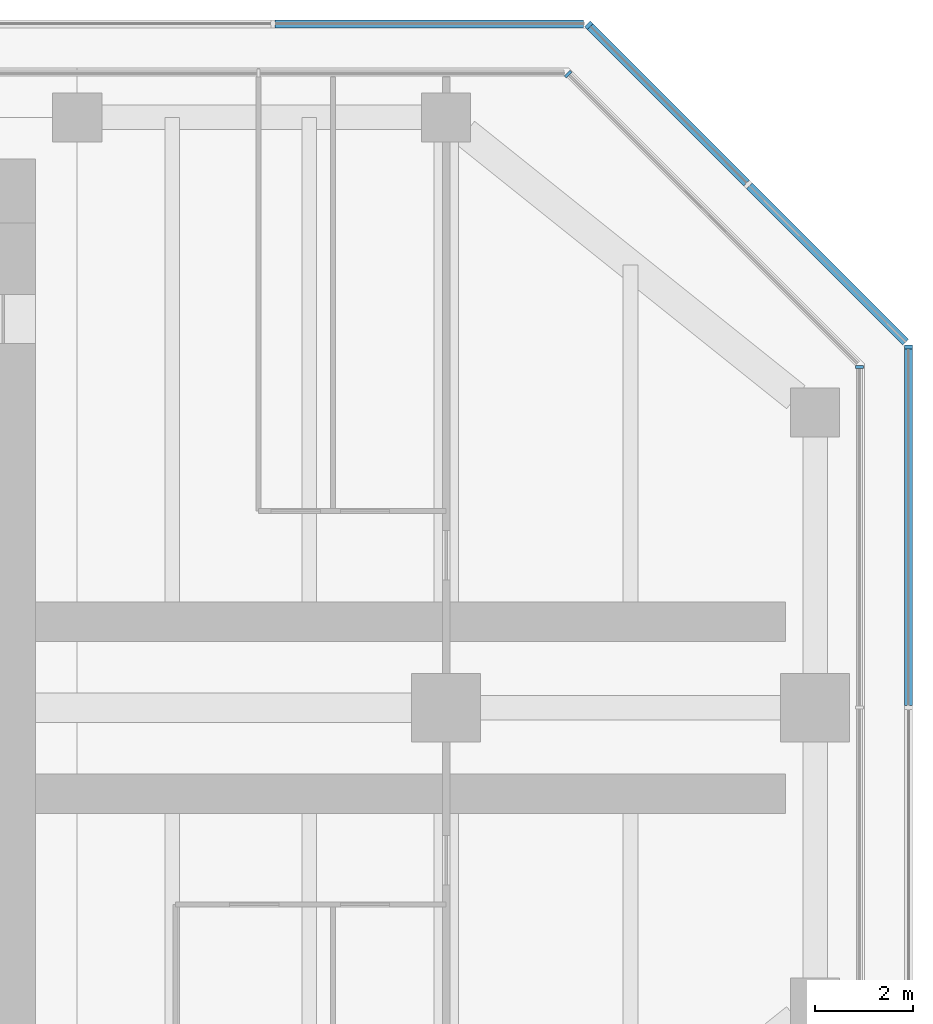
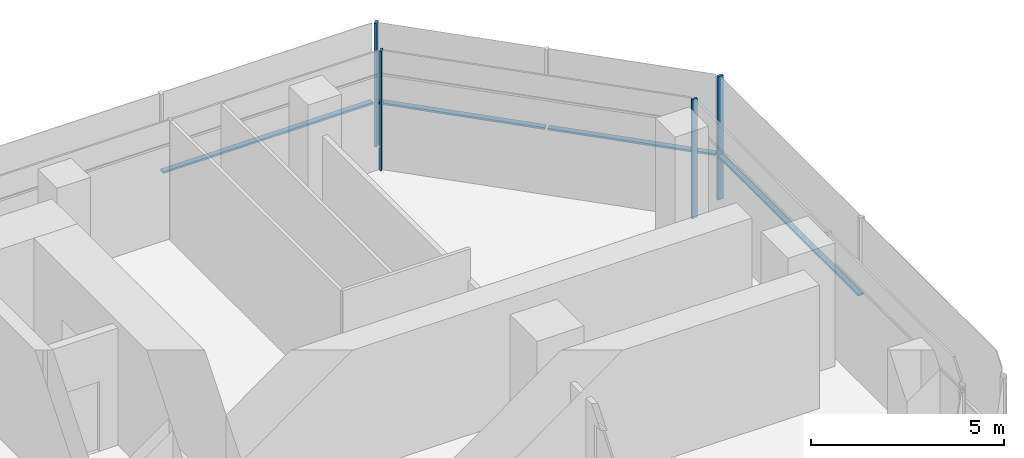
# One storey, part 8 of 16: 8 members, 5 elements without a shape of their own.
"""IFC4 building model written with IfcOpenShell, lengths in metres."""

from ifc_helpers import new_model, si_unit, direction, frame, origin, origin_2d, place, context, subcontext, project, spatial, rectangle, extrude, material, material_profile, profile_set, type_object, element, aggregate, save


model = new_model("IFC4")

# Units and contexts
model_context = context("Model", 3, precision=1e-05, world=origin(), true_north=direction((0.0, 1.0)))
body_context = subcontext(model_context, "Body", "Model", "MODEL_VIEW")
ifc_project = project(units=[si_unit("LENGTHUNIT", "METRE"), si_unit("AREAUNIT", "SQUARE_METRE"), si_unit("VOLUMEUNIT", "CUBIC_METRE"), si_unit("PLANEANGLEUNIT", "RADIAN"), si_unit("MASSUNIT", "GRAM", prefix="KILO")], contexts=[model_context])

# Site, building, storey
site_placement = place(None, origin())
site = spatial("IfcSite", under=ifc_project, at=site_placement, CompositionType="ELEMENT")
building_placement = place(site_placement, origin())
building = spatial("IfcBuilding", under=site, at=building_placement, Name="Mizan Broadcast Tower", CompositionType="ELEMENT")
storey_placement = place(building_placement, frame((0.0, 0.0, 294.60009765625)))
storey = spatial("IfcBuildingStorey", under=building, at=storey_placement, Name="L70", CompositionType="ELEMENT", Elevation=294.60009765625)

# Curtain wall, member
ifc_material_1 = material(Name="Aluminium framed glazing", Category="aluminium")
curtain_wall_type_1 = type_object("IfcCurtainWallType", Name="INNER SKIN TOP ZONE", PredefinedType="USERDEFINED", material=ifc_material_1)
curtain_wall_1_placement = place(storey_placement, origin())
curtain_wall_1 = element("IfcCurtainWall", 1, at=curtain_wall_1_placement, inside=storey, type_object=curtain_wall_type_1, Name="Inner skin top zone L70 E end", ObjectType="INNER SKIN TOP ZONE", PredefinedType="USERDEFINED")
ifc_material_2 = material(Name="Aluminium, pale anodised", Category="aluminium")
ifc_material_profile_1 = material_profile(ifc_material_2, rectangle(XDim=0.159912109375, YDim=0.06005859375, at=origin_2d()), Name="MULLION 160x60")
ifc_profile_set_1 = profile_set([ifc_material_profile_1], Name="Aluminium, pale anodised")
member_type_1 = type_object("IfcMemberType", Name="INNER SKIN MULLION 60x160", PredefinedType="MULLION", material=ifc_profile_set_1)
member_1_placement = place(storey_placement, frame((27.89990234375, 6.928466796875, 0.0), z_axis=(0.0, 0.0, 1.0), x_axis=(-1.0, 0.0, 0.0)))
member_1 = element("IfcMember", 2, at=member_1_placement, type_object=member_type_1, Name="Inner skin top zone L70 E end mullion 3", PredefinedType="MULLION", context=body_context, shape_type="SweptSolid", body=[
    extrude(rectangle(XDim=0.159912109375, YDim=0.06005859375, at=origin_2d()), origin(), (0.0, 0.0, 1.0), 3.77001953125),
])
aggregate(curtain_wall_1, [member_1])

curtain_wall_2_placement = place(storey_placement, origin())
curtain_wall_2 = element("IfcCurtainWall", 3, at=curtain_wall_2_placement, inside=storey, type_object=curtain_wall_type_1, Name="Inner skin top zone L70 E chamfer", ObjectType="INNER SKIN TOP ZONE", PredefinedType="USERDEFINED")
member_2_placement = place(storey_placement, frame((21.979736328125, 12.87890625, 0.0), z_axis=(0.0, 0.0, 1.0), x_axis=(-0.707106781187, -0.707106781187, 0.0)))
member_2 = element("IfcMember", 4, at=member_2_placement, type_object=member_type_1, Name="Inner skin top zone L70 E chamfer mullion 2", PredefinedType="MULLION", context=body_context, shape_type="SweptSolid", body=[
    extrude(rectangle(XDim=0.159912109375, YDim=0.06005859375, at=origin_2d()), origin(), (0.0, 0.0, 1.0), 3.77001953125),
])
aggregate(curtain_wall_2, [member_2])

ifc_material_3 = material(Name="Aluminium framed glazing", Category="aluminium")
curtain_wall_type_2 = type_object("IfcCurtainWallType", Name="OUTER SKIN", PredefinedType="USERDEFINED", material=ifc_material_3)
curtain_wall_3_placement = place(storey_placement, origin())
curtain_wall_3 = element("IfcCurtainWall", 5, at=curtain_wall_3_placement, inside=storey, type_object=curtain_wall_type_2, Name="Outer skin L70 E end", ObjectType="OUTER SKIN", PredefinedType="USERDEFINED")
ifc_material_4 = material(Name="Aluminium, pale anodised", Category="aluminium")
ifc_material_profile_2 = material_profile(ifc_material_4, rectangle(XDim=0.159912109375, YDim=0.080078125, at=origin_2d()), Name="MULLION 160x80")
ifc_profile_set_2 = profile_set([ifc_material_profile_2], Name="Aluminium, pale anodised")
member_type_2 = type_object("IfcMemberType", Name="OUTER SKIN MULLION 80x160", PredefinedType="MULLION", material=ifc_profile_set_2)
member_3_placement = place(storey_placement, frame((28.89990234375, 7.332763671875, 0.0), z_axis=(0.0, 0.0, 1.0), x_axis=(-1.0, 0.0, 0.0)))
member_3 = element("IfcMember", 6, at=member_3_placement, type_object=member_type_2, Name="Outer skin L70 E end mullion 3", PredefinedType="MULLION", context=body_context, shape_type="SweptSolid", body=[
    extrude(rectangle(XDim=0.159912109375, YDim=0.080078125, at=origin_2d()), origin(), (0.0, 0.0, 1.0), 3.89990234375),
])

curtain_wall_4_placement = place(storey_placement, origin())
curtain_wall_4 = element("IfcCurtainWall", 7, at=curtain_wall_4_placement, inside=storey, type_object=curtain_wall_type_2, Name="Outer skin L70 E chamfer", ObjectType="OUTER SKIN", PredefinedType="USERDEFINED")
member_4_placement = place(storey_placement, frame((22.401123046875, 13.871826171875, 0.0), z_axis=(0.0, 0.0, 1.0), x_axis=(-0.707106781187, -0.707106781187, 0.0)))
member_4 = element("IfcMember", 8, at=member_4_placement, type_object=member_type_2, Name="Outer skin L70 E chamfer mullion 3", PredefinedType="MULLION", context=body_context, shape_type="SweptSolid", body=[
    extrude(rectangle(XDim=0.159912109375, YDim=0.080078125, at=origin_2d()), origin(), (0.0, 0.0, 1.0), 3.89990234375),
])

# Member
ifc_material_5 = material(Name="Aluminium, pale anodised", Category="aluminium")
ifc_material_profile_3 = material_profile(ifc_material_5, rectangle(XDim=0.159912109375, YDim=0.06005859375, at=origin_2d()), Name="TRANSOM 160x60")
ifc_profile_set_3 = profile_set([ifc_material_profile_3], Name="Aluminium, pale anodised")
member_type_3 = type_object("IfcMemberType", Name="OUTER SKIN TRANSOM 60x160", PredefinedType="USERDEFINED", material=ifc_profile_set_3)
member_5_placement = place(storey_placement, frame((28.89990234375, 0.0400390625, 1.39990234375), z_axis=(0.0, 1.0, 0.0), x_axis=(-1.0, 0.0, 0.0)))
member_5 = element("IfcMember", 9, at=member_5_placement, type_object=member_type_3, Name="Outer skin L70 E end transom 2.1", ObjectType="TRANSOM", PredefinedType="USERDEFINED", context=body_context, shape_type="SweptSolid", body=[
    extrude(rectangle(XDim=0.159912109375, YDim=0.06005859375, at=origin_2d()), origin(), (0.0, 0.0, 1.0), 7.252685546875),
])

aggregate(curtain_wall_3, [member_3, member_5])

member_6_placement = place(storey_placement, frame((28.843505859375, 7.429443359375, 1.39990234375), z_axis=(-0.707106781187, 0.707106781187, 0.0), x_axis=(-0.707106781187, -0.707106781187, 0.0)))
member_6 = element("IfcMember", 10, at=member_6_placement, type_object=member_type_3, Name="Outer skin L70 E chamfer transom 1.1", ObjectType="TRANSOM", PredefinedType="USERDEFINED", context=body_context, shape_type="SweptSolid", body=[
    extrude(rectangle(XDim=0.159912109375, YDim=0.06005859375, at=origin_2d()), origin(), (0.0, 0.0, 1.0), 4.495361328125),
])

member_7_placement = place(storey_placement, frame((25.608154296875, 10.664794921875, 1.39990234375), z_axis=(-0.707106781187, 0.707106781187, 0.0), x_axis=(-0.707106781187, -0.707106781187, 0.0)))
member_7 = element("IfcMember", 11, at=member_7_placement, type_object=member_type_3, Name="Outer skin L70 E chamfer transom 2.1", ObjectType="TRANSOM", PredefinedType="USERDEFINED", context=body_context, shape_type="SweptSolid", body=[
    extrude(rectangle(XDim=0.159912109375, YDim=0.06005859375, at=origin_2d()), origin(), (0.0, 0.0, 1.0), 4.495361328125),
])

aggregate(curtain_wall_4, [member_4, member_6, member_7])

# Curtain wall, member
curtain_wall_5_placement = place(storey_placement, origin())
curtain_wall_5 = element("IfcCurtainWall", 12, at=curtain_wall_5_placement, inside=storey, type_object=curtain_wall_type_2, Name="Outer skin L70 N end", ObjectType="OUTER SKIN", PredefinedType="USERDEFINED")
member_8_placement = place(storey_placement, frame((22.292724609375, 13.89990234375, 1.39990234375), z_axis=(-1.0, 0.0, 0.0), x_axis=(0.0, -1.0, 0.0)))
member_8 = element("IfcMember", 13, at=member_8_placement, type_object=member_type_3, Name="Outer skin L70 N end transom 1.1", ObjectType="TRANSOM", PredefinedType="USERDEFINED", context=body_context, shape_type="SweptSolid", body=[
    extrude(rectangle(XDim=0.159912109375, YDim=0.06005859375, at=origin_2d()), origin(), (0.0, 0.0, 1.0), 6.272216796875),
])
aggregate(curtain_wall_5, [member_8])

save(model, "model.ifc")
